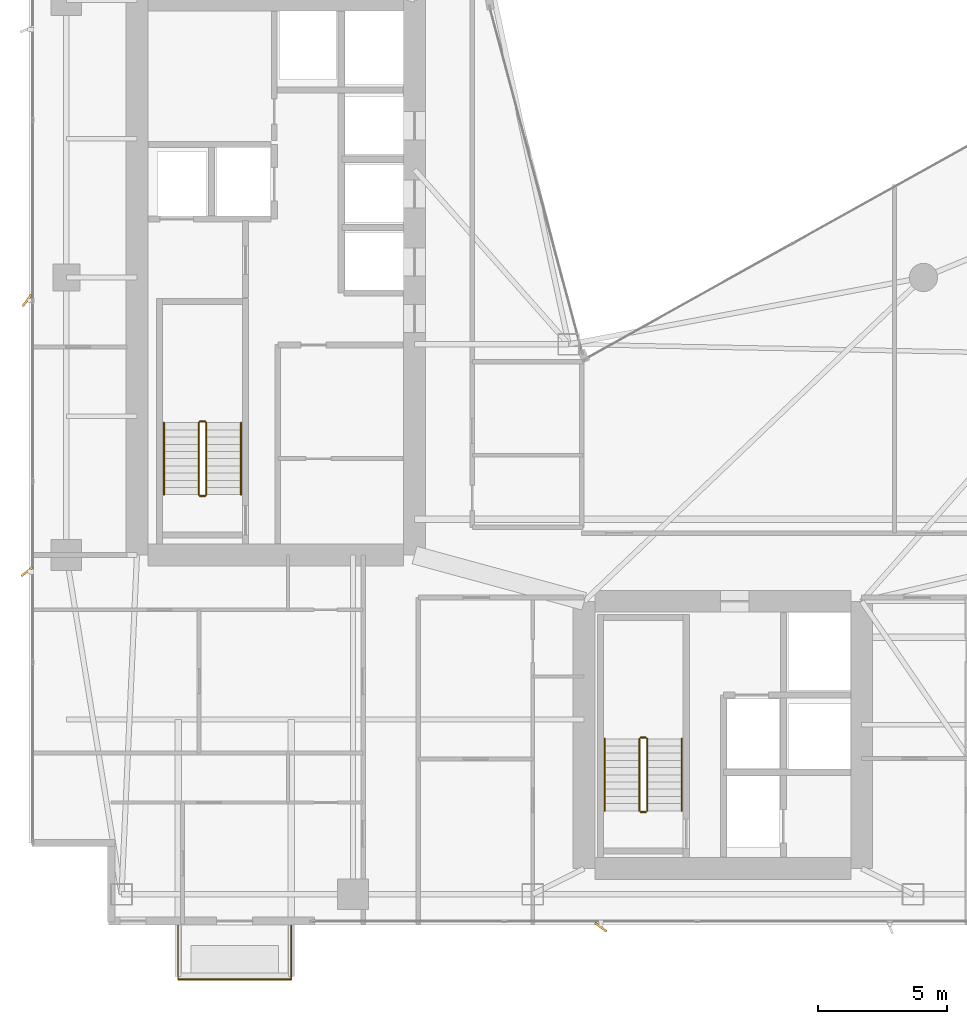
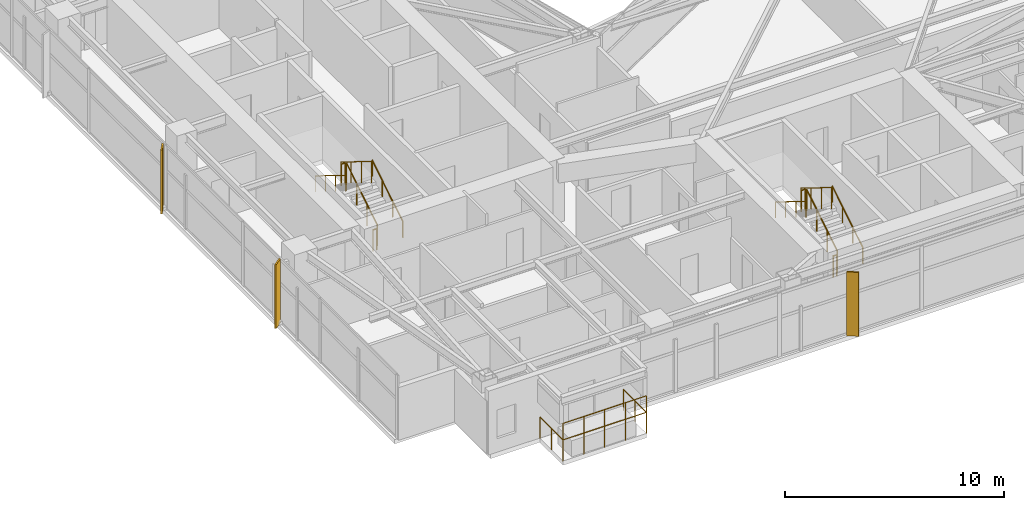
# One storey, part 27 of 28: 14 railings, 3 shading devices.
"""IFC4 building model written with IfcOpenShell, lengths in metres."""

import ifcopenshell
import ifcopenshell.guid

model = None  # the IFC model being written
_history = None  # IfcOwnerHistory: only IFC2X3 demands one
_inside = {}  # id of a spatial element -> (the spatial element, [elements in it])
_under = {}  # id of a project, library or spatial element -> (it, [spatial elements below it])
_declared = {}  # id of a project -> (the project, [libraries it declares])
_typed = {}  # id of a type object -> (the type object, [elements of that type])
_made_of = {}  # id of a material, layer set ... -> (it, [elements and type objects made of it])


def new_model(schema):
    """Start an empty IFC model of exactly this schema.

    Asked for "IFC4X3", IfcOpenShell would pick the latest addendum, in which some entities
    have other attributes; the version numbers below select the first issue.
    IFC2X3 requires an IfcOwnerHistory on every rooted entity: one is made here for all.
    """
    global model, _history
    if schema == "IFC4X3":
        model = ifcopenshell.file(schema_version=(4, 3, 0, 0))
    else:
        model = ifcopenshell.file(schema=schema)
    _inside.clear()
    _under.clear()
    _declared.clear()
    _typed.clear()
    _made_of.clear()
    _history = None
    if model.schema == "IFC2X3":
        org = make("IfcOrganization", Name="unknown")
        user = make(
            "IfcPersonAndOrganization",
            ThePerson=make("IfcPerson", FamilyName="unknown"),
            TheOrganization=org,
        )
        app = make(
            "IfcApplication",
            ApplicationDeveloper=org,
            Version="unknown",
            ApplicationFullName="unknown",
            ApplicationIdentifier="unknown",
        )
        _history = make(
            "IfcOwnerHistory",
            OwningUser=user,
            OwningApplication=app,
            ChangeAction="ADDED",
            CreationDate=0,
        )
    return model


def make(cls, **values):
    """One entity of the class cls with the attributes given. An attribute that is None is left unset."""
    return model.create_entity(
        cls, **{name: value for name, value in values.items() if value is not None}
    )


def rooted(cls, **values):
    """An entity with a GlobalId (a new one), such as an element, a storey or a relation."""
    return make(cls, GlobalId=ifcopenshell.guid.new(), OwnerHistory=_history, **values)


def si_unit(unit_type, name, prefix=None):
    """IfcSIUnit, for example si_unit("LENGTHUNIT", "METRE", prefix="MILLI")."""
    return make("IfcSIUnit", UnitType=unit_type, Prefix=prefix, Name=name)


def assignment(units):
    """IfcUnitAssignment: the units of a project."""
    return None if units is None else make("IfcUnitAssignment", Units=units)


def point(xyz):
    """IfcCartesianPoint."""
    return None if xyz is None else make("IfcCartesianPoint", Coordinates=xyz)


def direction(xyz):
    """IfcDirection."""
    return None if xyz is None else make("IfcDirection", DirectionRatios=xyz)


def frame(location, z_axis=None, x_axis=None):
    """IfcAxis2Placement3D, a coordinate frame: its origin and axes. An axis left out is left unset."""
    return make(
        "IfcAxis2Placement3D",
        Location=point(location),
        Axis=direction(z_axis),
        RefDirection=direction(x_axis),
    )


def frame_2d(location, x_axis=None):
    """IfcAxis2Placement2D, a coordinate frame in the plane: its origin and x axis."""
    return make(
        "IfcAxis2Placement2D", Location=point(location), RefDirection=direction(x_axis)
    )


def origin():
    """The frame at (0, 0, 0) with its axes left unset."""
    return frame((0.0, 0.0, 0.0))


def origin_2d():
    """The frame at (0, 0) in the plane with its x axis left unset."""
    return frame_2d((0.0, 0.0))


def place(relative_to, where):
    """IfcLocalPlacement: puts the frame where relative to a parent placement (None: the world)."""
    return make(
        "IfcLocalPlacement", PlacementRelTo=relative_to, RelativePlacement=where
    )


def context(
    kind, dimensions, precision=None, world=None, true_north=None, identifier=None
):
    """IfcGeometricRepresentationContext, for example the 3D "Model" context."""
    return make(
        "IfcGeometricRepresentationContext",
        ContextIdentifier=identifier,
        ContextType=kind,
        CoordinateSpaceDimension=dimensions,
        Precision=precision,
        WorldCoordinateSystem=world,
        TrueNorth=true_north,
    )


def subcontext(parent, identifier, kind, view, scale=None):
    """IfcGeometricRepresentationSubContext, for example "Body" below "Model"."""
    return make(
        "IfcGeometricRepresentationSubContext",
        ContextIdentifier=identifier,
        ContextType=kind,
        ParentContext=parent,
        TargetScale=scale,
        TargetView=view,
    )


def project(units=None, contexts=None):
    """IfcProject with its units and contexts."""
    return rooted(
        "IfcProject",
        Name="project",
        RepresentationContexts=contexts,
        UnitsInContext=assignment(units),
    )


def spatial(cls, under=None, at=None, **own):
    """A site, building, storey or space (cls), placed at a placement, below another one or the project."""
    s = rooted(cls, ObjectPlacement=at, **own)
    if under is not None:
        _under.setdefault(under.id(), (under, []))[1].append(s)
    return s


def profile(cls, at=None, kind="AREA", **sizes):
    """A parametric profile (cls). Its sizes go by their IFC names, for example OverallWidth=200.0."""
    return make(cls, ProfileType=kind, Position=at, **sizes)


def rectangle(**sizes):
    """IfcRectangleProfileDef."""
    return profile("IfcRectangleProfileDef", **sizes)


def circle(**sizes):
    """IfcCircleProfileDef."""
    return profile("IfcCircleProfileDef", **sizes)


def extrude(swept, where, along, depth):
    """IfcExtrudedAreaSolid: the profile swept, set in the frame where, extruded along a direction by depth."""
    return make(
        "IfcExtrudedAreaSolid",
        SweptArea=swept,
        Position=where,
        ExtrudedDirection=direction(along),
        Depth=depth,
    )


def shape(context_of_items, identifier, shape_type, items):
    """IfcShapeRepresentation: the items that make up one representation, for example the "Body"."""
    return make(
        "IfcShapeRepresentation",
        ContextOfItems=context_of_items,
        RepresentationIdentifier=identifier,
        RepresentationType=shape_type,
        Items=items,
    )


def material(Name=None, Category=None):
    """IfcMaterial."""
    return make("IfcMaterial", Name=Name, Category=Category)


def made_of(thing, what):
    """Note that an element or type object is made of a material, layer set ...; save() writes the relation."""
    if what is not None:
        _made_of.setdefault(what.id(), (what, []))[1].append(thing)
    return thing


def type_object(cls, material=None, **own):
    """A type object (cls), such as IfcWallType, which elements share."""
    return made_of(rooted(cls, **own), material)


def element(
    cls,
    number,
    at=None,
    inside=None,
    cuts=None,
    type_object=None,
    material=None,
    context=None,
    identifier="Body",
    shape_type=None,
    held_by="IfcProductDefinitionShape",
    body=None,
    shapes=None,
    **own,
):
    """One element of the class cls, such as IfcWall. Its Tag is "e" and its number.

    at: its placement. inside: the storey or other place that contains it. cuts: it is an
    opening in that element (IfcRelVoidsElement). A single representation is given by context,
    identifier, shape_type and body (its items); several are given by shapes. held_by: the class
    of the entity that holds the representations. save() writes the other relations.
    """
    e = rooted(cls, Tag="e%d" % number, ObjectPlacement=at, **own)
    if body is not None:
        shapes = [shape(context, identifier, shape_type, body)]
    if shapes is not None:
        e.Representation = make(held_by, Representations=shapes)
    if inside is not None:
        _inside.setdefault(inside.id(), (inside, []))[1].append(e)
    if cuts is not None:
        rooted(
            "IfcRelVoidsElement", RelatingBuildingElement=cuts, RelatedOpeningElement=e
        )
    if type_object is not None:
        _typed.setdefault(type_object.id(), (type_object, []))[1].append(e)
    return made_of(e, material)


def aggregate(whole, parts):
    """IfcRelAggregates: a whole, such as a stair, and the parts it consists of."""
    return rooted("IfcRelAggregates", RelatingObject=whole, RelatedObjects=parts)


def save(model, path):
    """Write the relations noted so far, then the file.

    IfcRelAggregates (storeys below a building ...), IfcRelContainedInSpatialStructure (elements
    in a storey), IfcRelDefinesByType, IfcRelAssociatesMaterial and IfcRelDeclares: one each for
    every whole, place, type object, material and project.
    """
    for whole, parts in _under.values():
        aggregate(whole, parts)
    for where, things in _inside.values():
        rooted(
            "IfcRelContainedInSpatialStructure",
            RelatedElements=things,
            RelatingStructure=where,
        )
    for kind, things in _typed.values():
        rooted("IfcRelDefinesByType", RelatedObjects=things, RelatingType=kind)
    for what, things in _made_of.values():
        rooted("IfcRelAssociatesMaterial", RelatedObjects=things, RelatingMaterial=what)
    for by, libraries in _declared.values():
        rooted("IfcRelDeclares", RelatingContext=by, RelatedDefinitions=libraries)
    model.write(path)


model = new_model("IFC4")

# Units and contexts
model_context = context("Model", 3, precision=1e-05, world=origin(), true_north=direction((0.0, 1.0)))
body_context = subcontext(model_context, "Body", "Model", "MODEL_VIEW")
ifc_project = project(units=[si_unit("LENGTHUNIT", "METRE"), si_unit("AREAUNIT", "SQUARE_METRE"), si_unit("VOLUMEUNIT", "CUBIC_METRE"), si_unit("PLANEANGLEUNIT", "RADIAN"), si_unit("MASSUNIT", "GRAM", prefix="KILO")], contexts=[model_context])

# Site, building, storey
site_placement = place(None, origin())
site = spatial("IfcSite", under=ifc_project, at=site_placement, CompositionType="ELEMENT")
building_placement = place(site_placement, origin())
building = spatial("IfcBuilding", under=site, at=building_placement, Name="Calvorn Quay Hotel", CompositionType="ELEMENT")
storey_placement = place(building_placement, frame((0.0, 0.0, 152.300048828125)))
storey = spatial("IfcBuildingStorey", under=building, at=storey_placement, Name="L37", CompositionType="ELEMENT", Elevation=152.300048828125)

# Railings
ifc_material_1 = material(Name="Pale Anodised Aluminium and Laminated Glass", Category="aluminium")
railing_type_1 = type_object("IfcRailingType", Name="RLG-BALUSTRADE-1200", PredefinedType="BALUSTRADE", material=ifc_material_1)
railing_1_placement = place(storey_placement, frame((5.800048828125, 2.389892578125, 0.0)))
element("IfcRailing", 1, at=railing_1_placement, inside=storey, type_object=railing_type_1, Name="Tree Balcony Perimeter Balustrade L37-BALC-S", PredefinedType="BALUSTRADE", context=body_context, shape_type="SweptSolid", body=[
    extrude(circle(Radius=0.02392578125, at=origin_2d()), frame((0.0, 0.0, 1.17578125), z_axis=(0.0, -1.0, 0.0), x_axis=(1.0, 0.0, 0.0)), (0.0, 0.0, 1.0), 2.099853515625),
    extrude(circle(Radius=0.02392578125, at=origin_2d()), frame((0.0, -2.099853515625, 1.17578125), z_axis=(1.0, 0.0, 0.0), x_axis=(0.0, 1.0, 0.0)), (0.0, 0.0, 1.0), 4.39990234375),
    extrude(circle(Radius=0.02392578125, at=origin_2d()), frame((4.39990234375, -2.099853515625, 1.17578125), z_axis=(0.0, 1.0, 0.0), x_axis=(-1.0, 0.0, 0.0)), (0.0, 0.0, 1.0), 2.099853515625),
    extrude(circle(Radius=0.02099609375, at=origin_2d()), origin(), (0.0, 0.0, 1.0), 1.15185546875),
    extrude(circle(Radius=0.02099609375, at=origin_2d()), frame((0.0, -1.0498046875, 0.0)), (0.0, 0.0, 1.0), 1.15185546875),
    extrude(circle(Radius=0.02099609375, at=origin_2d()), frame((0.0, -2.099853515625, 0.0)), (0.0, 0.0, 1.0), 1.15185546875),
    extrude(circle(Radius=0.02099609375, at=origin_2d()), frame((1.10009765625, -2.099853515625, 0.0)), (0.0, 0.0, 1.0), 1.15185546875),
    extrude(circle(Radius=0.02099609375, at=origin_2d()), frame((2.199951171875, -2.099853515625, 0.0)), (0.0, 0.0, 1.0), 1.15185546875),
    extrude(circle(Radius=0.02099609375, at=origin_2d()), frame((3.2998046875, -2.099853515625, 0.0)), (0.0, 0.0, 1.0), 1.15185546875),
    extrude(circle(Radius=0.02099609375, at=origin_2d()), frame((4.39990234375, -2.099853515625, 0.0)), (0.0, 0.0, 1.0), 1.15185546875),
    extrude(circle(Radius=0.02099609375, at=origin_2d()), frame((4.39990234375, -1.0498046875, 0.0)), (0.0, 0.0, 1.0), 1.15185546875),
    extrude(circle(Radius=0.02099609375, at=origin_2d()), frame((4.39990234375, 0.0, 0.0)), (0.0, 0.0, 1.0), 1.15185546875),
])
railing_2_placement = place(storey_placement, frame((5.800048828125, 0.2900390625, 0.89990234375)))
element("IfcRailing", 2, at=railing_2_placement, inside=storey, type_object=railing_type_1, Name="Planter Kerb High Safety Screen L37-BALC-S", PredefinedType="BALUSTRADE", context=body_context, shape_type="SweptSolid", body=[
    extrude(circle(Radius=0.02392578125, at=origin_2d()), frame((0.0, 0.0, 1.19580078125), z_axis=(1.0, 0.0, 0.0), x_axis=(0.0, 1.0, 0.0)), (0.0, 0.0, 1.0), 4.39990234375),
    extrude(circle(Radius=0.02099609375, at=origin_2d()), origin(), (0.0, 0.0, 1.0), 1.171875),
    extrude(circle(Radius=0.02099609375, at=origin_2d()), frame((1.10009765625, 0.0, 0.0)), (0.0, 0.0, 1.0), 1.171875),
    extrude(circle(Radius=0.02099609375, at=origin_2d()), frame((2.199951171875, 0.0, 0.0)), (0.0, 0.0, 1.0), 1.171875),
    extrude(circle(Radius=0.02099609375, at=origin_2d()), frame((3.2998046875, 0.0, 0.0)), (0.0, 0.0, 1.0), 1.171875),
    extrude(circle(Radius=0.02099609375, at=origin_2d()), frame((4.39990234375, 0.0, 0.0)), (0.0, 0.0, 1.0), 1.171875),
])
ifc_material_2 = material(Name="Brushed Stainless Steel Handrail", Category="steel")
railing_type_2 = type_object("IfcRailingType", Name="RLG-HANDRAIL-900", PredefinedType="HANDRAIL", material=ifc_material_2)
railing_3_placement = place(storey_placement, frame((8.25, 19.14990234375, 0.172607421875)))
element("IfcRailing", 3, at=railing_3_placement, inside=storey, type_object=railing_type_2, Name="L37 ST-W stair handrail 1", PredefinedType="HANDRAIL", context=body_context, shape_type="SweptSolid", body=[
    extrude(circle(Radius=0.02392578125, at=origin_2d()), frame((0.0, 0.0, 0.8759765625), z_axis=(0.0, 0.851089632645, 0.525020415988), x_axis=(-1.0, 0.0, 0.0)), (0.0, 0.0, 1.0), 3.2900390625),
    extrude(circle(Radius=0.02099609375, at=origin_2d()), origin(), (0.0, 0.0, 1.0), 0.851806640625),
    extrude(circle(Radius=0.02099609375, at=origin_2d()), frame((0.0, 0.933349609375, 0.57568359375)), (0.0, 0.0, 1.0), 0.851806640625),
    extrude(circle(Radius=0.02099609375, at=origin_2d()), frame((0.0, 1.86669921875, 1.151611328125)), (0.0, 0.0, 1.0), 0.851806640625),
    extrude(circle(Radius=0.02099609375, at=origin_2d()), frame((0.0, 2.800048828125, 1.727294921875)), (0.0, 0.0, 1.0), 0.851806640625),
])
railing_4_placement = place(storey_placement, frame((5.25, 21.949951171875, 2.07275390625)))
element("IfcRailing", 4, at=railing_4_placement, inside=storey, type_object=railing_type_2, Name="L37 ST-W stair handrail 2", PredefinedType="HANDRAIL", context=body_context, shape_type="SweptSolid", body=[
    extrude(circle(Radius=0.02392578125, at=origin_2d()), frame((0.0, 0.0, 0.8759765625), z_axis=(0.0, -0.851089632645, 0.525020415988), x_axis=(1.0, 0.0, 0.0)), (0.0, 0.0, 1.0), 3.2900390625),
    extrude(circle(Radius=0.02099609375, at=origin_2d()), origin(), (0.0, 0.0, 1.0), 0.851806640625),
    extrude(circle(Radius=0.02099609375, at=origin_2d()), frame((0.0, -0.933349609375, 0.57568359375)), (0.0, 0.0, 1.0), 0.851806640625),
    extrude(circle(Radius=0.02099609375, at=origin_2d()), frame((0.0, -1.86669921875, 1.151611328125)), (0.0, 0.0, 1.0), 0.851806640625),
    extrude(circle(Radius=0.02099609375, at=origin_2d()), frame((0.0, -2.800048828125, 1.727294921875)), (0.0, 0.0, 1.0), 0.851806640625),
])
railing_5_placement = place(storey_placement, frame((25.39990234375, 6.85009765625, 0.172607421875)))
element("IfcRailing", 5, at=railing_5_placement, inside=storey, type_object=railing_type_2, Name="L37 ST-E stair handrail 1", PredefinedType="HANDRAIL", context=body_context, shape_type="SweptSolid", body=[
    extrude(circle(Radius=0.02392578125, at=origin_2d()), frame((0.0, 0.0, 0.8759765625), z_axis=(0.0, 0.851069175582, 0.525053576669), x_axis=(-1.0, 0.0, 0.0)), (0.0, 0.0, 1.0), 3.289794921875),
    extrude(circle(Radius=0.02099609375, at=origin_2d()), origin(), (0.0, 0.0, 1.0), 0.851806640625),
    extrude(circle(Radius=0.02099609375, at=origin_2d()), frame((0.0, 0.933349609375, 0.57568359375)), (0.0, 0.0, 1.0), 0.851806640625),
    extrude(circle(Radius=0.02099609375, at=origin_2d()), frame((0.0, 1.866455078125, 1.151611328125)), (0.0, 0.0, 1.0), 0.851806640625),
    extrude(circle(Radius=0.02099609375, at=origin_2d()), frame((0.0, 2.7998046875, 1.727294921875)), (0.0, 0.0, 1.0), 0.851806640625),
])
railing_6_placement = place(storey_placement, frame((22.39990234375, 9.64990234375, 2.07275390625)))
element("IfcRailing", 6, at=railing_6_placement, inside=storey, type_object=railing_type_2, Name="L37 ST-E stair handrail 2", PredefinedType="HANDRAIL", context=body_context, shape_type="SweptSolid", body=[
    extrude(circle(Radius=0.02392578125, at=origin_2d()), frame((0.0, 0.0, 0.8759765625), z_axis=(0.0, -0.851069175582, 0.525053576669), x_axis=(1.0, 0.0, 0.0)), (0.0, 0.0, 1.0), 3.289794921875),
    extrude(circle(Radius=0.02099609375, at=origin_2d()), origin(), (0.0, 0.0, 1.0), 0.851806640625),
    extrude(circle(Radius=0.02099609375, at=origin_2d()), frame((0.0, -0.933349609375, 0.57568359375)), (0.0, 0.0, 1.0), 0.851806640625),
    extrude(circle(Radius=0.02099609375, at=origin_2d()), frame((0.0, -1.866455078125, 1.151611328125)), (0.0, 0.0, 1.0), 0.851806640625),
    extrude(circle(Radius=0.02099609375, at=origin_2d()), frame((0.0, -2.7998046875, 1.727294921875)), (0.0, 0.0, 1.0), 0.851806640625),
])
ifc_material_3 = material(Name="Painted Galvanised Steel Balustrade", Category="steel")
railing_type_3 = type_object("IfcRailingType", Name="RLG-STAIR-GUARD-1120", PredefinedType="GUARDRAIL", material=ifc_material_3)
railing_7_placement = place(storey_placement, frame((6.89990234375, 19.14990234375, 0.172607421875)))
element("IfcRailing", 7, at=railing_7_placement, inside=storey, type_object=railing_type_3, Name="L37 ST-W stair guard 1", PredefinedType="GUARDRAIL", context=body_context, shape_type="SweptSolid", body=[
    extrude(circle(Radius=0.02392578125, at=origin_2d()), frame((0.0, 0.0, 1.17578125), z_axis=(0.0, 0.851089632645, 0.525020415988), x_axis=(-1.0, 0.0, 0.0)), (0.0, 0.0, 1.0), 3.2900390625),
    extrude(circle(Radius=0.02099609375, at=origin_2d()), origin(), (0.0, 0.0, 1.0), 1.15185546875),
    extrude(circle(Radius=0.02099609375, at=origin_2d()), frame((0.0, 0.933349609375, 0.57568359375)), (0.0, 0.0, 1.0), 1.15185546875),
    extrude(circle(Radius=0.02099609375, at=origin_2d()), frame((0.0, 1.86669921875, 1.151611328125)), (0.0, 0.0, 1.0), 1.15185546875),
    extrude(circle(Radius=0.02099609375, at=origin_2d()), frame((0.0, 2.800048828125, 1.727294921875)), (0.0, 0.0, 1.0), 1.15185546875),
])
railing_8_placement = place(storey_placement, frame((6.85009765625, 22.0, 1.89990234375)))
element("IfcRailing", 8, at=railing_8_placement, inside=storey, type_object=railing_type_3, Name="L37 ST-W stair guard 2", PredefinedType="GUARDRAIL", context=body_context, shape_type="SweptSolid", body=[
    extrude(circle(Radius=0.02392578125, at=origin_2d()), frame((0.0, 0.0, 1.17578125), z_axis=(-1.0, 0.0, 0.0), x_axis=(0.0, -1.0, 0.0)), (0.0, 0.0, 1.0), 0.2001953125),
    extrude(circle(Radius=0.02099609375, at=origin_2d()), origin(), (0.0, 0.0, 1.0), 1.15185546875),
    extrude(circle(Radius=0.02099609375, at=origin_2d()), frame((-0.2001953125, 0.0, 0.0)), (0.0, 0.0, 1.0), 1.15185546875),
])
railing_9_placement = place(storey_placement, frame((6.60009765625, 21.949951171875, 2.07275390625)))
element("IfcRailing", 9, at=railing_9_placement, inside=storey, type_object=railing_type_3, Name="L37 ST-W stair guard 3", PredefinedType="GUARDRAIL", context=body_context, shape_type="SweptSolid", body=[
    extrude(circle(Radius=0.02392578125, at=origin_2d()), frame((0.0, 0.0, 1.17578125), z_axis=(0.0, -0.851089632645, 0.525020415988), x_axis=(1.0, 0.0, 0.0)), (0.0, 0.0, 1.0), 3.2900390625),
    extrude(circle(Radius=0.02099609375, at=origin_2d()), origin(), (0.0, 0.0, 1.0), 1.15185546875),
    extrude(circle(Radius=0.02099609375, at=origin_2d()), frame((0.0, -0.933349609375, 0.57568359375)), (0.0, 0.0, 1.0), 1.15185546875),
    extrude(circle(Radius=0.02099609375, at=origin_2d()), frame((0.0, -1.86669921875, 1.151611328125)), (0.0, 0.0, 1.0), 1.15185546875),
    extrude(circle(Radius=0.02099609375, at=origin_2d()), frame((0.0, -2.800048828125, 1.727294921875)), (0.0, 0.0, 1.0), 1.15185546875),
])
railing_10_placement = place(storey_placement, frame((6.85009765625, 19.10009765625, 0.0)))
element("IfcRailing", 10, at=railing_10_placement, inside=storey, type_object=railing_type_3, Name="L37 ST-W stair guard 4", PredefinedType="GUARDRAIL", context=body_context, shape_type="SweptSolid", body=[
    extrude(circle(Radius=0.02392578125, at=origin_2d()), frame((0.0, 0.0, 1.17578125), z_axis=(-1.0, 0.0, 0.0), x_axis=(0.0, -1.0, 0.0)), (0.0, 0.0, 1.0), 0.2001953125),
    extrude(circle(Radius=0.02099609375, at=origin_2d()), origin(), (0.0, 0.0, 1.0), 1.15185546875),
    extrude(circle(Radius=0.02099609375, at=origin_2d()), frame((-0.2001953125, 0.0, 0.0)), (0.0, 0.0, 1.0), 1.15185546875),
])
railing_11_placement = place(storey_placement, frame((24.050048828125, 6.85009765625, 0.172607421875)))
element("IfcRailing", 11, at=railing_11_placement, inside=storey, type_object=railing_type_3, Name="L37 ST-E stair guard 1", PredefinedType="GUARDRAIL", context=body_context, shape_type="SweptSolid", body=[
    extrude(circle(Radius=0.02392578125, at=origin_2d()), frame((0.0, 0.0, 1.17578125), z_axis=(0.0, 0.851069175582, 0.525053576669), x_axis=(-1.0, 0.0, 0.0)), (0.0, 0.0, 1.0), 3.289794921875),
    extrude(circle(Radius=0.02099609375, at=origin_2d()), origin(), (0.0, 0.0, 1.0), 1.15185546875),
    extrude(circle(Radius=0.02099609375, at=origin_2d()), frame((0.0, 0.933349609375, 0.57568359375)), (0.0, 0.0, 1.0), 1.15185546875),
    extrude(circle(Radius=0.02099609375, at=origin_2d()), frame((0.0, 1.866455078125, 1.151611328125)), (0.0, 0.0, 1.0), 1.15185546875),
    extrude(circle(Radius=0.02099609375, at=origin_2d()), frame((0.0, 2.7998046875, 1.727294921875)), (0.0, 0.0, 1.0), 1.15185546875),
])
railing_12_placement = place(storey_placement, frame((24.0, 9.699951171875, 1.89990234375)))
element("IfcRailing", 12, at=railing_12_placement, inside=storey, type_object=railing_type_3, Name="L37 ST-E stair guard 2", PredefinedType="GUARDRAIL", context=body_context, shape_type="SweptSolid", body=[
    extrude(circle(Radius=0.02392578125, at=origin_2d()), frame((0.0, 0.0, 1.17578125), z_axis=(-1.0, 0.0, 0.0), x_axis=(0.0, -1.0, 0.0)), (0.0, 0.0, 1.0), 0.199951171875),
    extrude(circle(Radius=0.02099609375, at=origin_2d()), origin(), (0.0, 0.0, 1.0), 1.15185546875),
    extrude(circle(Radius=0.02099609375, at=origin_2d()), frame((-0.199951171875, 0.0, 0.0)), (0.0, 0.0, 1.0), 1.15185546875),
])
railing_13_placement = place(storey_placement, frame((23.75, 9.64990234375, 2.07275390625)))
element("IfcRailing", 13, at=railing_13_placement, inside=storey, type_object=railing_type_3, Name="L37 ST-E stair guard 3", PredefinedType="GUARDRAIL", context=body_context, shape_type="SweptSolid", body=[
    extrude(circle(Radius=0.02392578125, at=origin_2d()), frame((0.0, 0.0, 1.17578125), z_axis=(0.0, -0.851069175582, 0.525053576669), x_axis=(1.0, 0.0, 0.0)), (0.0, 0.0, 1.0), 3.289794921875),
    extrude(circle(Radius=0.02099609375, at=origin_2d()), origin(), (0.0, 0.0, 1.0), 1.15185546875),
    extrude(circle(Radius=0.02099609375, at=origin_2d()), frame((0.0, -0.933349609375, 0.57568359375)), (0.0, 0.0, 1.0), 1.15185546875),
    extrude(circle(Radius=0.02099609375, at=origin_2d()), frame((0.0, -1.866455078125, 1.151611328125)), (0.0, 0.0, 1.0), 1.15185546875),
    extrude(circle(Radius=0.02099609375, at=origin_2d()), frame((0.0, -2.7998046875, 1.727294921875)), (0.0, 0.0, 1.0), 1.15185546875),
])
railing_14_placement = place(storey_placement, frame((24.0, 6.800048828125, 0.0)))
element("IfcRailing", 14, at=railing_14_placement, inside=storey, type_object=railing_type_3, Name="L37 ST-E stair guard 4", PredefinedType="GUARDRAIL", context=body_context, shape_type="SweptSolid", body=[
    extrude(circle(Radius=0.02392578125, at=origin_2d()), frame((0.0, 0.0, 1.17578125), z_axis=(-1.0, 0.0, 0.0), x_axis=(0.0, -1.0, 0.0)), (0.0, 0.0, 1.0), 0.199951171875),
    extrude(circle(Radius=0.02099609375, at=origin_2d()), origin(), (0.0, 0.0, 1.0), 1.15185546875),
    extrude(circle(Radius=0.02099609375, at=origin_2d()), frame((-0.199951171875, 0.0, 0.0)), (0.0, 0.0, 1.0), 1.15185546875),
])

# Shading devices
ifc_material_4 = material(Name="Champagne Bronze Anodised Aluminium 6063-T6", Category="aluminium")
shading_device_type_1 = type_object("IfcShadingDeviceType", Name="SHD-FIN-A2", PredefinedType="USERDEFINED", material=ifc_material_4)
shading_device_placement = place(storey_placement, frame((-0.080078125, 16.14990234375, 0.0), z_axis=(0.0, 0.0, 1.0), x_axis=(0.788010753607, 0.615661475326, 0.0)))
element("IfcShadingDevice", 15, at=shading_device_placement, inside=storey, type_object=shading_device_type_1, Name="Diagonal Sun-Shading Fin L37-W01", ObjectType="FIN", PredefinedType="USERDEFINED", context=body_context, shape_type="SweptSolid", body=[
    extrude(rectangle(XDim=0.550048828125, YDim=0.080078125, at=origin_2d()), origin(), (0.0, 0.0, 1.0), 3.56005859375),
])
ifc_material_5 = material(Name="Champagne Bronze Anodised Aluminium 6063-T6", Category="aluminium")
shading_device_type_2 = type_object("IfcShadingDeviceType", Name="SHD-FIN-A3", PredefinedType="USERDEFINED", material=ifc_material_5)
for number, where, z_axis, x_axis, name in (
    (16, (-0.080078125, 26.699951171875, 0.0), (0.0, 0.0, 1.0), (0.587785252292, 0.809016994375, 0.0), "Diagonal Sun-Shading Fin L37-W02"),
    (17, (22.25, 2.320068359375, 0.0), (0.0, 0.0, 1.0), (-0.809016994375, 0.587785252292, 0.0), "Diagonal Sun-Shading Fin L37-S01"),
):
    element("IfcShadingDevice", number, at=place(storey_placement, frame(where, z_axis=z_axis, x_axis=x_axis)), inside=storey, type_object=shading_device_type_2, Name=name, ObjectType="FIN", PredefinedType="USERDEFINED", context=body_context, shape_type="SweptSolid", body=[
        extrude(rectangle(XDim=0.550048828125, YDim=0.080078125, at=origin_2d()), origin(), (0.0, 0.0, 1.0), 3.56005859375),
    ])

save(model, "model.ifc")
